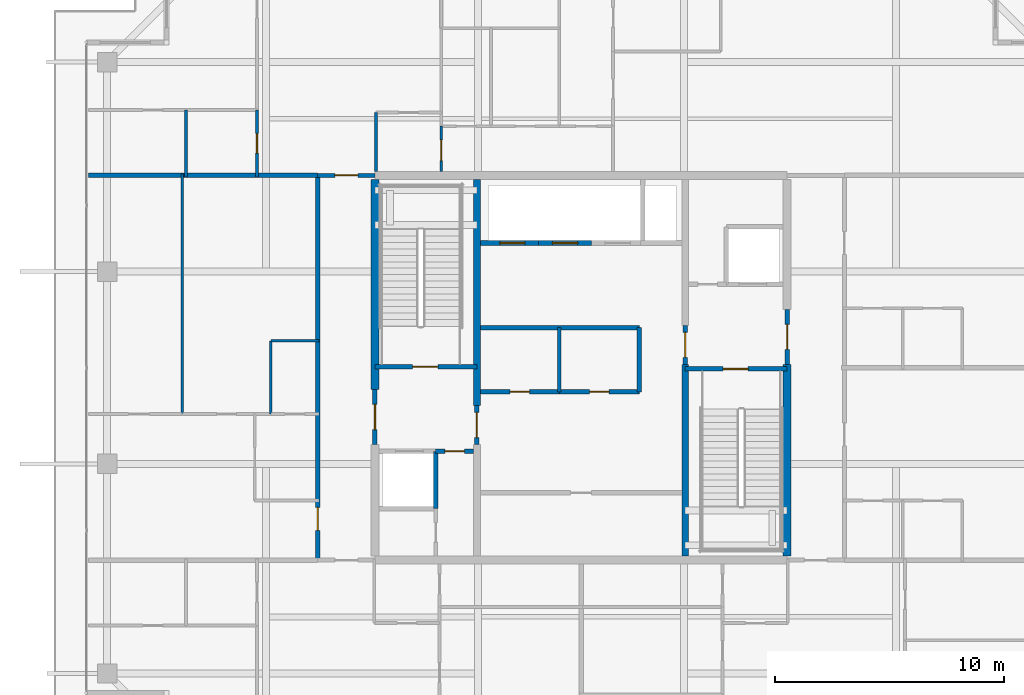
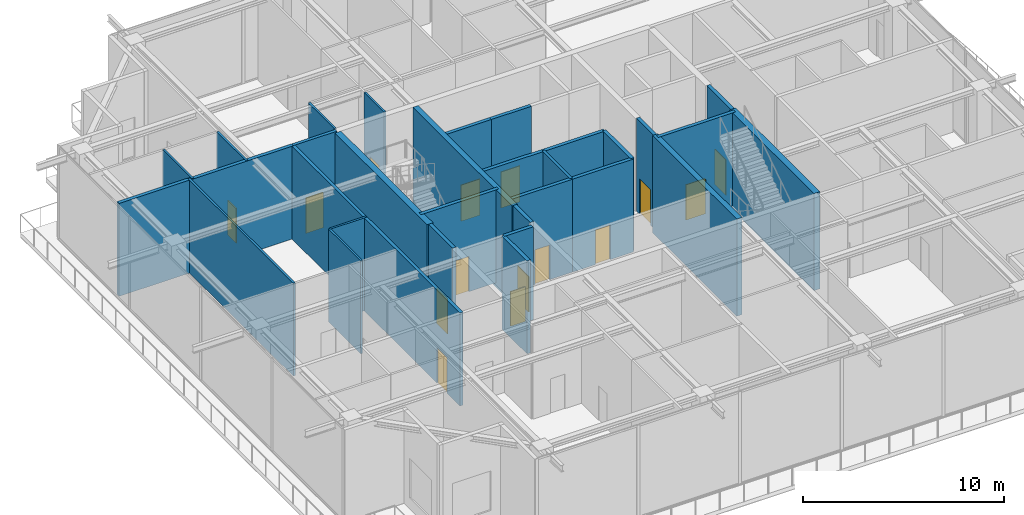
# One storey, part 28 of 40: 29 walls, 15 doors, 15 openings.
"""IFC4 building model written with IfcOpenShell, lengths in metres."""

from ifc_helpers import new_model, si_unit, direction, frame, frame_2d, origin, place, context, subcontext, project, spatial, rectangle, extrude, source, transform, mapped, material, layer, layer_set, type_object, element, fill, save


model = new_model("IFC4")

# Units and contexts
model_context = context("Model", 3, precision=1e-05, world=origin(), true_north=direction((0.0, 1.0)))
body_context = subcontext(model_context, "Body", "Model", "MODEL_VIEW")
ifc_project = project(units=[si_unit("LENGTHUNIT", "METRE"), si_unit("AREAUNIT", "SQUARE_METRE"), si_unit("VOLUMEUNIT", "CUBIC_METRE"), si_unit("PLANEANGLEUNIT", "RADIAN"), si_unit("MASSUNIT", "GRAM", prefix="KILO")], contexts=[model_context])

# Site, building, storey
site_placement = place(None, origin())
site = spatial("IfcSite", under=ifc_project, at=site_placement, CompositionType="ELEMENT")
building_placement = place(site_placement, origin())
building = spatial("IfcBuilding", under=site, at=building_placement, Name="Serunith Strait Residences", CompositionType="ELEMENT")
storey_placement = place(building_placement, frame((0.0, 0.0, 347.949951171875)))
storey = spatial("IfcBuildingStorey", under=building, at=storey_placement, Name="L86", CompositionType="ELEMENT", Elevation=347.949951171875)

# Wall
ifc_material_1 = material(Name="Fire-rated masonry service closet wall", Category="masonry")
ifc_layer_1 = layer(ifc_material_1, 0.14990234375, Name="Fire-rated masonry service closet wall")
ifc_layer_set_1 = layer_set([ifc_layer_1], Name="Fire-rated masonry service closet wall")
wall_type_1 = type_object("IfcWallType", Name="IW-BOH-150", PredefinedType="PARTITIONING", material=ifc_layer_set_1)
wall_1_placement = place(storey_placement, frame((31.449951171875, 24.14990234375, 0.0), z_axis=(0.0, 0.0, 1.0), x_axis=(0.0, 1.0, 0.0)))
element("IfcWall", 1, at=wall_1_placement, inside=storey, type_object=wall_type_1, Name="L86 Partition Wall 017", PredefinedType="PARTITIONING", context=body_context, shape_type="SweptSolid", body=[
    extrude(rectangle(XDim=2.800048828125, YDim=0.14990234375, at=frame_2d((1.39990234375, 0.0))), origin(), (0.0, 0.0, 1.0), 5.64013671875),
])

# Wall, opening, door
ifc_material_2 = material(Name="Fire-rated acoustic gypsum partition")
ifc_layer_2 = layer(ifc_material_2, 0.179931640625, Name="Fire-rated acoustic gypsum partition")
ifc_layer_set_2 = layer_set([ifc_layer_2], Name="Fire-rated acoustic gypsum partition")
wall_type_2 = type_object("IfcWallType", Name="IW-CORR-180", PredefinedType="PARTITIONING", material=ifc_layer_set_2)
wall_2_placement = place(storey_placement, frame((20.902099609375, 33.60009765625, 0.0), z_axis=(0.0, 0.0, 1.0), x_axis=(1.0, 0.0, 0.0)))
wall_2 = element("IfcWall", 2, at=wall_2_placement, inside=storey, type_object=wall_type_2, Name="L86 Partition Wall 025", PredefinedType="PARTITIONING", context=body_context, shape_type="SweptSolid", body=[
    extrude(rectangle(XDim=2.495849609375, YDim=0.179931640625, at=frame_2d((1.248046875, 0.0))), origin(), (0.0, 0.0, 1.0), 5.64013671875),
])
opening_1_placement = place(wall_2_placement, frame((0.748046875, 0.0, 0.0)))
opening_1 = element("IfcOpeningElement", 3, at=opening_1_placement, cuts=wall_2, Name="Opening D-APT1000", PredefinedType="OPENING", context=body_context, shape_type="SweptSolid", body=[
    extrude(rectangle(XDim=1.0, YDim=2.14990234375, at=frame_2d((0.5, 1.074951171875))), frame((0.0, 0.10009765625, 0.0), z_axis=(0.0, -1.0, 0.0), x_axis=(1.0, 0.0, 0.0)), (0.0, 0.0, 1.0), 0.199951171875),
])
ifc_material_3 = material(Name="Solid timber engineered fire door", Category="wood")
door_type_1 = type_object("IfcDoorType", Name="ID-APT-1000", OperationType="NOTDEFINED", PredefinedType="DOOR", material=ifc_material_3)
shared_shape_1 = source(origin(), body_context, "Body", "SweptSolid", [
    extrude(rectangle(XDim=1.0, YDim=2.14990234375, at=frame_2d((0.5, 1.074951171875))), frame((0.0, 0.02490234375, 0.0), z_axis=(0.0, -1.0, 0.0), x_axis=(1.0, 0.0, 0.0)), (0.0, 0.0, 1.0), 0.050048828125),
])
door_1_placement = place(opening_1_placement, origin())
door_1 = element("IfcDoor", 4, at=door_1_placement, inside=storey, type_object=door_type_1, Name="L86 Unit 03 Entrance Door", OperationType="SINGLE_SWING_LEFT", OverallHeight=2.14990234375, OverallWidth=1.0, PredefinedType="DOOR", context=body_context, shape_type="MappedRepresentation", body=[
    mapped(shared_shape_1, transform((0.0, 0.0, 0.0), scale=1.0)),
])
fill(opening_1, door_1)

wall_3_placement = place(storey_placement, frame((20.89990234375, 16.800048828125, 0.0), z_axis=(0.0, 0.0, 1.0), x_axis=(0.0, 1.0, 0.0)))
wall_3 = element("IfcWall", 5, at=wall_3_placement, inside=storey, type_object=wall_type_2, Name="L86 Partition Wall 026", PredefinedType="PARTITIONING", context=body_context, shape_type="SweptSolid", body=[
    extrude(rectangle(XDim=16.800048828125, YDim=0.179931640625, at=frame_2d((8.39990234375, 0.0))), origin(), (0.0, 0.0, 1.0), 5.64013671875),
])
opening_2_placement = place(wall_3_placement, frame((1.300048828125, 0.0, 0.0)))
opening_2 = element("IfcOpeningElement", 6, at=opening_2_placement, cuts=wall_3, Name="Opening D-APT1000", PredefinedType="OPENING", context=body_context, shape_type="SweptSolid", body=[
    extrude(rectangle(XDim=1.0, YDim=2.14990234375, at=frame_2d((0.5, 1.074951171875))), frame((0.0, 0.10009765625, 0.0), z_axis=(0.0, -1.0, 0.0), x_axis=(1.0, 0.0, 0.0)), (0.0, 0.0, 1.0), 0.199951171875),
])
door_2_placement = place(opening_2_placement, origin())
door_2 = element("IfcDoor", 7, at=door_2_placement, inside=storey, type_object=door_type_1, Name="L86 Unit 04 Entrance Door", OperationType="SINGLE_SWING_RIGHT", OverallHeight=2.14990234375, OverallWidth=1.0, PredefinedType="DOOR", context=body_context, shape_type="MappedRepresentation", body=[
    mapped(shared_shape_1, transform((0.0, 0.0, 0.0), scale=1.0)),
])
fill(opening_2, door_2)

# Walls
ifc_material_4 = material(Name="Lightweight steel-stud gypsum partition", Category="steel")
ifc_layer_3 = layer(ifc_material_4, 0.1201171875, Name="Lightweight steel-stud gypsum partition")
ifc_layer_set_3 = layer_set([ifc_layer_3], Name="Lightweight steel-stud gypsum partition")
wall_type_3 = type_object("IfcWallType", Name="IW-PART-120", PredefinedType="PARTITIONING", material=ifc_layer_set_3)
wall_4_placement = place(storey_placement, frame((23.449951171875, 36.35009765625, 0.0), z_axis=(0.0, 0.0, 1.0), x_axis=(0.0, -1.0, 0.0)))
element("IfcWall", 8, at=wall_4_placement, inside=storey, type_object=wall_type_3, Name="L86 Partition Wall 053", PredefinedType="PARTITIONING", context=body_context, shape_type="SweptSolid", body=[
    extrude(rectangle(XDim=2.5751953125, YDim=0.1201171875, at=frame_2d((1.28759765625, 0.0))), origin(), (0.0, 0.0, 1.0), 5.64013671875),
])
wall_5_placement = place(storey_placement, frame((15.14990234375, 36.4560546875, 0.0), z_axis=(0.0, 0.0, 1.0), x_axis=(0.0, -1.0, 0.0)))
element("IfcWall", 9, at=wall_5_placement, inside=storey, type_object=wall_type_3, Name="L86 Partition Wall 057", PredefinedType="PARTITIONING", context=body_context, shape_type="SweptSolid", body=[
    extrude(rectangle(XDim=2.916015625, YDim=0.1201171875, at=frame_2d((1.4580078125, 0.0))), origin(), (0.0, 0.0, 1.0), 5.64013671875),
])

# Wall, opening, door
wall_6_placement = place(storey_placement, frame((18.25, 36.4541015625, 0.0), z_axis=(0.0, 0.0, 1.0), x_axis=(0.0, -1.0, 0.0)))
wall_6 = element("IfcWall", 10, at=wall_6_placement, inside=storey, type_object=wall_type_3, Name="L86 Partition Wall 058", PredefinedType="PARTITIONING", context=body_context, shape_type="SweptSolid", body=[
    extrude(rectangle(XDim=2.9140625, YDim=0.1201171875, at=frame_2d((1.45703125, 0.0))), origin(), (0.0, 0.0, 1.0), 5.64013671875),
])
opening_3_placement = place(wall_6_placement, frame((1.031982421875, 0.0, 0.0)))
opening_3 = element("IfcOpeningElement", 11, at=opening_3_placement, cuts=wall_6, Name="Opening D-BTH850", PredefinedType="OPENING", context=body_context, shape_type="SweptSolid", body=[
    extrude(rectangle(XDim=0.85009765625, YDim=2.10009765625, at=frame_2d((0.425048828125, 1.050048828125))), frame((0.0, 0.070068359375, 0.0), z_axis=(0.0, -1.0, 0.0), x_axis=(1.0, 0.0, 0.0)), (0.0, 0.0, 1.0), 0.14013671875),
])
ifc_material_5 = material(Name="Moisture-resistant timber bathroom door", Category="wood")
door_type_2 = type_object("IfcDoorType", Name="ID-BATH-850", OperationType="NOTDEFINED", PredefinedType="DOOR", material=ifc_material_5)
shared_shape_2 = source(origin(), body_context, "Body", "SweptSolid", [
    extrude(rectangle(XDim=0.85009765625, YDim=2.10009765625, at=frame_2d((0.425048828125, 1.050048828125))), frame((0.0, 0.02490234375, 0.0), z_axis=(0.0, -1.0, 0.0), x_axis=(1.0, 0.0, 0.0)), (0.0, 0.0, 1.0), 0.050048828125),
])
door_3_placement = place(opening_3_placement, origin())
door_3 = element("IfcDoor", 12, at=door_3_placement, inside=storey, type_object=door_type_2, Name="L86 Bathroom 8603 Door", OperationType="SINGLE_SWING_RIGHT", OverallHeight=2.10009765625, OverallWidth=0.85009765625, PredefinedType="DOOR", context=body_context, shape_type="MappedRepresentation", body=[
    mapped(shared_shape_2, transform((0.0, 0.0, 0.0), scale=1.0)),
])
fill(opening_3, door_3)

wall_7_placement = place(storey_placement, frame((26.300048828125, 35.75, 0.0), z_axis=(0.0, 0.0, 1.0), x_axis=(0.0, -1.0, 0.0)))
wall_7 = element("IfcWall", 13, at=wall_7_placement, inside=storey, type_object=wall_type_3, Name="L86 Partition Wall 059", PredefinedType="PARTITIONING", context=body_context, shape_type="SweptSolid", body=[
    extrude(rectangle(XDim=1.97509765625, YDim=0.1201171875, at=frame_2d((0.987548828125, 0.0))), origin(), (0.0, 0.0, 1.0), 5.64013671875),
])
opening_4_placement = place(wall_7_placement, frame((0.60107421875, 0.0, 0.0)))
opening_4 = element("IfcOpeningElement", 14, at=opening_4_placement, cuts=wall_7, Name="Opening D-RM900", PredefinedType="OPENING", context=body_context, shape_type="SweptSolid", body=[
    extrude(rectangle(XDim=0.89990234375, YDim=2.10009765625, at=frame_2d((0.449951171875, 1.050048828125))), frame((0.0, 0.070068359375, 0.0), z_axis=(0.0, -1.0, 0.0), x_axis=(1.0, 0.0, 0.0)), (0.0, 0.0, 1.0), 0.14013671875),
])
ifc_material_6 = material(Name="Engineered timber flush bedroom door", Category="wood")
door_type_3 = type_object("IfcDoorType", Name="ID-ROOM-900", OperationType="NOTDEFINED", PredefinedType="DOOR", material=ifc_material_6)
shared_shape_3 = source(origin(), body_context, "Body", "SweptSolid", [
    extrude(rectangle(XDim=0.89990234375, YDim=2.10009765625, at=frame_2d((0.449951171875, 1.050048828125))), frame((0.0, 0.02490234375, 0.0), z_axis=(0.0, -1.0, 0.0), x_axis=(1.0, 0.0, 0.0)), (0.0, 0.0, 1.0), 0.050048828125),
])
door_4_placement = place(opening_4_placement, origin())
door_4 = element("IfcDoor", 15, at=door_4_placement, inside=storey, type_object=door_type_3, Name="L86 Hall E 8603 Door", OperationType="SINGLE_SWING_LEFT", OverallHeight=2.10009765625, OverallWidth=0.89990234375, PredefinedType="DOOR", context=body_context, shape_type="MappedRepresentation", body=[
    mapped(shared_shape_3, transform((0.0, 0.0, 0.0), scale=1.0)),
])
fill(opening_4, door_4)

# Walls
wall_8_placement = place(storey_placement, frame((14.98291015625, 23.179931640625, 0.0), z_axis=(0.0, 0.0, 1.0), x_axis=(0.0, 1.0, 0.0)))
element("IfcWall", 16, at=wall_8_placement, inside=storey, type_object=wall_type_3, Name="L86 Partition Wall 077", PredefinedType="PARTITIONING", context=body_context, shape_type="SweptSolid", body=[
    extrude(rectangle(XDim=10.47998046875, YDim=0.1201171875, at=frame_2d((5.239990234375, 0.0))), origin(), (0.0, 0.0, 1.0), 5.64013671875),
])
wall_9_placement = place(storey_placement, frame((18.85009765625, 23.179931640625, 0.0), z_axis=(0.0, 0.0, 1.0), x_axis=(0.0, 1.0, 0.0)))
element("IfcWall", 17, at=wall_9_placement, inside=storey, type_object=wall_type_3, Name="L86 Partition Wall 078", PredefinedType="PARTITIONING", context=body_context, shape_type="SweptSolid", body=[
    extrude(rectangle(XDim=3.199951171875, YDim=0.1201171875, at=frame_2d((1.60009765625, 0.0))), origin(), (0.0, 0.0, 1.0), 5.64013671875),
])
wall_10_placement = place(storey_placement, frame((18.85009765625, 26.3798828125, 0.0), z_axis=(0.0, 0.0, 1.0), x_axis=(1.0, 0.0, 0.0)))
element("IfcWall", 18, at=wall_10_placement, inside=storey, type_object=wall_type_3, Name="L86 Partition Wall 079", PredefinedType="PARTITIONING", context=body_context, shape_type="SweptSolid", body=[
    extrude(rectangle(XDim=2.10986328125, YDim=0.1201171875, at=frame_2d((1.054931640625, 0.0))), origin(), (0.0, 0.0, 1.0), 5.64013671875),
])
ifc_material_7 = material(Name="Twin-stud acoustic gypsum board partition")
ifc_layer_4 = layer(ifc_material_7, 0.199951171875, Name="Twin-stud acoustic gypsum board partition")
ifc_layer_set_4 = layer_set([ifc_layer_4], Name="Twin-stud acoustic gypsum board partition")
wall_type_4 = type_object("IfcWallType", Name="IW-PARTY-200", PredefinedType="PARTITIONING", material=ifc_layer_set_4)
wall_11_placement = place(storey_placement, frame((10.882080078125, 33.60009765625, 0.0), z_axis=(0.0, 0.0, 1.0), x_axis=(1.0, 0.0, 0.0)))
element("IfcWall", 19, at=wall_11_placement, inside=storey, type_object=wall_type_4, Name="L86 Partition Wall 022", PredefinedType="PARTITIONING", context=body_context, shape_type="SweptSolid", body=[
    extrude(rectangle(XDim=10.017822265625, YDim=0.199951171875, at=frame_2d((5.0087890625, 0.0))), origin(), (0.0, 0.0, 1.0), 5.64013671875),
])

# Wall, opening, door
ifc_material_8 = material(Name="Autoclaved aerated concrete blockwork", Category="masonry")
ifc_layer_5 = layer(ifc_material_8, 0.199951171875, Name="Autoclaved aerated concrete blockwork")
ifc_layer_set_5 = layer_set([ifc_layer_5], Name="Autoclaved aerated concrete blockwork")
wall_type_5 = type_object("IfcWallType", Name="IW-SHAFT-200", PredefinedType="STANDARD", material=ifc_layer_set_5)
wall_12_placement = place(storey_placement, frame((23.39990234375, 25.25, 0.0), z_axis=(0.0, 0.0, 1.0), x_axis=(1.0, 0.0, 0.0)))
wall_12 = element("IfcWall", 20, at=wall_12_placement, inside=storey, type_object=wall_type_5, Name="L86 ST-1 South Shaft Wall", PredefinedType="STANDARD", context=body_context, shape_type="SweptSolid", body=[
    extrude(rectangle(XDim=4.4501953125, YDim=0.199951171875, at=frame_2d((2.22509765625, 0.0))), origin(), (0.0, 0.0, 1.0), 5.64013671875),
])
opening_5_placement = place(wall_12_placement, frame((1.64990234375, 0.0, 0.0)))
opening_5 = element("IfcOpeningElement", 21, at=opening_5_placement, cuts=wall_12, Name="Opening FD-1100", PredefinedType="OPENING", context=body_context, shape_type="SweptSolid", body=[
    extrude(rectangle(XDim=1.10009765625, YDim=2.14990234375, at=frame_2d((0.550048828125, 1.074951171875))), frame((0.0, 0.10986328125, 0.0), z_axis=(0.0, -1.0, 0.0), x_axis=(1.0, 0.0, 0.0)), (0.0, 0.0, 1.0), 0.219970703125),
])
ifc_material_9 = material(Name="Galvanised steel fire door leaf", Category="steel")
door_type_4 = type_object("IfcDoorType", Name="FD-STAIR-1100", OperationType="NOTDEFINED", PredefinedType="DOOR", material=ifc_material_9)
shared_shape_4 = source(origin(), body_context, "Body", "SweptSolid", [
    extrude(rectangle(XDim=1.10009765625, YDim=2.14990234375, at=frame_2d((0.550048828125, 1.074951171875))), frame((0.0, 0.02490234375, 0.0), z_axis=(0.0, -1.0, 0.0), x_axis=(1.0, 0.0, 0.0)), (0.0, 0.0, 1.0), 0.050048828125),
])
door_5_placement = place(opening_5_placement, origin())
door_5 = element("IfcDoor", 22, at=door_5_placement, inside=storey, type_object=door_type_4, Name="L86 ST-1 Escape Stair Door", OperationType="SINGLE_SWING_RIGHT", OverallHeight=2.14990234375, OverallWidth=1.10009765625, PredefinedType="DOOR", context=body_context, shape_type="MappedRepresentation", body=[
    mapped(shared_shape_4, transform((0.0, 0.0, 0.0), scale=1.0)),
])
fill(opening_5, door_5)

wall_13_placement = place(storey_placement, frame((36.949951171875, 25.14990234375, 0.0), z_axis=(0.0, 0.0, 1.0), x_axis=(1.0, 0.0, 0.0)))
wall_13 = element("IfcWall", 23, at=wall_13_placement, inside=storey, type_object=wall_type_5, Name="L86 ST-2 North Shaft Wall", PredefinedType="STANDARD", context=body_context, shape_type="SweptSolid", body=[
    extrude(rectangle(XDim=4.449951171875, YDim=0.199951171875, at=frame_2d((2.22509765625, 0.0))), origin(), (0.0, 0.0, 1.0), 5.64013671875),
])
opening_6_placement = place(wall_13_placement, frame((1.64990234375, 0.0, 0.0)))
opening_6 = element("IfcOpeningElement", 24, at=opening_6_placement, cuts=wall_13, Name="Opening FD-1100", PredefinedType="OPENING", context=body_context, shape_type="SweptSolid", body=[
    extrude(rectangle(XDim=1.10009765625, YDim=2.14990234375, at=frame_2d((0.550048828125, 1.074951171875))), frame((0.0, 0.10986328125, 0.0), z_axis=(0.0, -1.0, 0.0), x_axis=(1.0, 0.0, 0.0)), (0.0, 0.0, 1.0), 0.219970703125),
])
door_6_placement = place(opening_6_placement, origin())
door_6 = element("IfcDoor", 25, at=door_6_placement, inside=storey, type_object=door_type_4, Name="L86 ST-2 Escape Stair Door", OperationType="SINGLE_SWING_LEFT", OverallHeight=2.14990234375, OverallWidth=1.10009765625, PredefinedType="DOOR", context=body_context, shape_type="MappedRepresentation", body=[
    mapped(shared_shape_4, transform((0.0, 0.0, 0.0), scale=1.0)),
])
fill(opening_6, door_6)

wall_14_placement = place(storey_placement, frame((28.0, 30.64990234375, 0.0), z_axis=(0.0, 0.0, 1.0), x_axis=(1.0, 0.0, 0.0)))
wall_14 = element("IfcWall", 26, at=wall_14_placement, inside=storey, type_object=wall_type_5, Name="L86 PL-7 South Shaft Wall", PredefinedType="STANDARD", context=body_context, shape_type="SweptSolid", body=[
    extrude(rectangle(XDim=2.550048828125, YDim=0.199951171875, at=frame_2d((1.27490234375, 0.0))), origin(), (0.0, 0.0, 1.0), 5.64013671875),
])
opening_7_placement = place(wall_14_placement, frame((0.85009765625, 0.0, 0.0)))
opening_7 = element("IfcOpeningElement", 27, at=opening_7_placement, cuts=wall_14, Name="Opening LD-1100", PredefinedType="OPENING", context=body_context, shape_type="SweptSolid", body=[
    extrude(rectangle(XDim=1.10009765625, YDim=2.199951171875, at=frame_2d((0.550048828125, 1.10009765625))), frame((0.0, 0.10986328125, 0.0), z_axis=(0.0, -1.0, 0.0), x_axis=(1.0, 0.0, 0.0)), (0.0, 0.0, 1.0), 0.219970703125),
])
ifc_material_10 = material(Name="Pale-champagne stainless landing door")
door_type_5 = type_object("IfcDoorType", Name="LD-LIFT-1100", OperationType="DOUBLE_DOOR_SLIDING", PredefinedType="DOOR", material=ifc_material_10)
shared_shape_5 = source(origin(), body_context, "Body", "SweptSolid", [
    extrude(rectangle(XDim=1.10009765625, YDim=2.199951171875, at=frame_2d((0.550048828125, 1.10009765625))), frame((0.0, 0.02490234375, 0.0), z_axis=(0.0, -1.0, 0.0), x_axis=(1.0, 0.0, 0.0)), (0.0, 0.0, 1.0), 0.050048828125),
])
door_7_placement = place(opening_7_placement, origin())
door_7 = element("IfcDoor", 28, at=door_7_placement, inside=storey, type_object=door_type_5, Name="L86 PL-7 Landing Door", OperationType="DOUBLE_DOOR_SLIDING", OverallHeight=2.199951171875, OverallWidth=1.10009765625, PredefinedType="DOOR", context=body_context, shape_type="MappedRepresentation", body=[
    mapped(shared_shape_5, transform((0.0, 0.0, 0.0), scale=1.0)),
])
fill(opening_7, door_7)

wall_15_placement = place(storey_placement, frame((30.550048828125, 30.64990234375, 0.0), z_axis=(0.0, 0.0, 1.0), x_axis=(1.0, 0.0, 0.0)))
wall_15 = element("IfcWall", 29, at=wall_15_placement, inside=storey, type_object=wall_type_5, Name="L86 PL-8 South Shaft Wall", PredefinedType="STANDARD", context=body_context, shape_type="SweptSolid", body=[
    extrude(rectangle(XDim=2.300048828125, YDim=0.199951171875, at=frame_2d((1.14990234375, 0.0))), origin(), (0.0, 0.0, 1.0), 5.64013671875),
])
opening_8_placement = place(wall_15_placement, frame((0.60009765625, 0.0, 0.0)))
opening_8 = element("IfcOpeningElement", 30, at=opening_8_placement, cuts=wall_15, Name="Opening LD-1100", PredefinedType="OPENING", context=body_context, shape_type="SweptSolid", body=[
    extrude(rectangle(XDim=1.10009765625, YDim=2.199951171875, at=frame_2d((0.550048828125, 1.10009765625))), frame((0.0, 0.10986328125, 0.0), z_axis=(0.0, -1.0, 0.0), x_axis=(1.0, 0.0, 0.0)), (0.0, 0.0, 1.0), 0.219970703125),
])
door_8_placement = place(opening_8_placement, origin())
door_8 = element("IfcDoor", 31, at=door_8_placement, inside=storey, type_object=door_type_5, Name="L86 PL-8 Landing Door", OperationType="DOUBLE_DOOR_SLIDING", OverallHeight=2.199951171875, OverallWidth=1.10009765625, PredefinedType="DOOR", context=body_context, shape_type="MappedRepresentation", body=[
    mapped(shared_shape_5, transform((0.0, 0.0, 0.0), scale=1.0)),
])
fill(opening_8, door_8)

# Wall
wall_16_placement = place(storey_placement, frame((26.050048828125, 19.050048828125, 0.0), z_axis=(0.0, 0.0, 1.0), x_axis=(0.0, 1.0, 0.0)))
element("IfcWall", 32, at=wall_16_placement, inside=storey, type_object=wall_type_5, Name="L86 Partition Wall 001", PredefinedType="STANDARD", context=body_context, shape_type="SweptSolid", body=[
    extrude(rectangle(XDim=2.5, YDim=0.199951171875, at=frame_2d((1.25, 0.0))), origin(), (0.0, 0.0, 1.0), 5.64013671875),
])

# Wall, opening, door
wall_17_placement = place(storey_placement, frame((26.052001953125, 21.550048828125, 0.0), z_axis=(0.0, 0.0, 1.0), x_axis=(1.0, 0.0, 0.0)))
wall_17 = element("IfcWall", 33, at=wall_17_placement, inside=storey, type_object=wall_type_5, Name="L86 Partition Wall 003", PredefinedType="STANDARD", context=body_context, shape_type="SweptSolid", body=[
    extrude(rectangle(XDim=1.64794921875, YDim=0.199951171875, at=frame_2d((0.823974609375, 0.0))), origin(), (0.0, 0.0, 1.0), 5.64013671875),
])
opening_9_placement = place(wall_17_placement, frame((0.39892578125, 0.0, 0.0)))
opening_9 = element("IfcOpeningElement", 34, at=opening_9_placement, cuts=wall_17, Name="Opening FD-850", PredefinedType="OPENING", context=body_context, shape_type="SweptSolid", body=[
    extrude(rectangle(XDim=0.85009765625, YDim=2.10009765625, at=frame_2d((0.425048828125, 1.050048828125))), frame((0.0, 0.10986328125, 0.0), z_axis=(0.0, -1.0, 0.0), x_axis=(1.0, 0.0, 0.0)), (0.0, 0.0, 1.0), 0.219970703125),
])
ifc_material_11 = material(Name="Powder-coated steel service closet door", Category="steel")
door_type_6 = type_object("IfcDoorType", Name="FD-BOH-850", OperationType="NOTDEFINED", PredefinedType="DOOR", material=ifc_material_11)
door_9_placement = place(opening_9_placement, origin())
door_9 = element("IfcDoor", 35, at=door_9_placement, inside=storey, type_object=door_type_6, Name="L86 South-West Core Service Door", OperationType="SINGLE_SWING_RIGHT", OverallHeight=2.10009765625, OverallWidth=0.85009765625, PredefinedType="DOOR", context=body_context, shape_type="MappedRepresentation", body=[
    mapped(shared_shape_2, transform((0.0, 0.0, 0.0), scale=1.0)),
])
fill(opening_9, door_9)

wall_18_placement = place(storey_placement, frame((23.39990234375, 21.85205078125, 0.0), z_axis=(0.0, 0.0, 1.0), x_axis=(0.0, 1.0, 0.0)))
wall_18 = element("IfcWall", 36, at=wall_18_placement, inside=storey, type_object=wall_type_5, Name="L86 Partition Wall 007", PredefinedType="STANDARD", context=body_context, shape_type="SweptSolid", body=[
    extrude(rectangle(XDim=2.39599609375, YDim=0.199951171875, at=frame_2d((1.197998046875, 0.0))), origin(), (0.0, 0.0, 1.0), 5.64013671875),
])
opening_10_placement = place(wall_18_placement, frame((0.64794921875, 0.0, 0.0)))
opening_10 = element("IfcOpeningElement", 37, at=opening_10_placement, cuts=wall_18, Name="Opening FD-FFL", PredefinedType="OPENING", context=body_context, shape_type="SweptSolid", body=[
    extrude(rectangle(XDim=1.10009765625, YDim=2.14990234375, at=frame_2d((0.550048828125, 1.074951171875))), frame((0.0, 0.10986328125, 0.0), z_axis=(0.0, -1.0, 0.0), x_axis=(1.0, 0.0, 0.0)), (0.0, 0.0, 1.0), 0.219970703125),
])
ifc_material_12 = material(Name="Glazed steel smoke-lobby fire door", Category="steel")
door_type_7 = type_object("IfcDoorType", Name="FD-FFL-1100", OperationType="NOTDEFINED", PredefinedType="DOOR", material=ifc_material_12)
door_10_placement = place(opening_10_placement, origin())
door_10 = element("IfcDoor", 38, at=door_10_placement, inside=storey, type_object=door_type_7, Name="L86 FFL-1 Corridor Fire Door", OperationType="SINGLE_SWING_RIGHT", OverallHeight=2.14990234375, OverallWidth=1.10009765625, PredefinedType="DOOR", context=body_context, shape_type="MappedRepresentation", body=[
    mapped(shared_shape_4, transform((0.0, 0.0, 0.0), scale=1.0)),
])
fill(opening_10, door_10)

wall_19_placement = place(storey_placement, frame((41.39990234375, 25.35205078125, 0.0), z_axis=(0.0, 0.0, 1.0), x_axis=(0.0, 1.0, 0.0)))
wall_19 = element("IfcWall", 39, at=wall_19_placement, inside=storey, type_object=wall_type_5, Name="L86 Partition Wall 008", PredefinedType="STANDARD", context=body_context, shape_type="SweptSolid", body=[
    extrude(rectangle(XDim=2.39599609375, YDim=0.199951171875, at=frame_2d((1.197998046875, 0.0))), origin(), (0.0, 0.0, 1.0), 5.64013671875),
])
opening_11_placement = place(wall_19_placement, frame((0.64794921875, 0.0, 0.0)))
opening_11 = element("IfcOpeningElement", 40, at=opening_11_placement, cuts=wall_19, Name="Opening FD-FFL", PredefinedType="OPENING", context=body_context, shape_type="SweptSolid", body=[
    extrude(rectangle(XDim=1.10009765625, YDim=2.14990234375, at=frame_2d((0.550048828125, 1.074951171875))), frame((0.0, 0.10986328125, 0.0), z_axis=(0.0, -1.0, 0.0), x_axis=(1.0, 0.0, 0.0)), (0.0, 0.0, 1.0), 0.219970703125),
])
door_11_placement = place(opening_11_placement, origin())
door_11 = element("IfcDoor", 41, at=door_11_placement, inside=storey, type_object=door_type_7, Name="L86 FFL-2 Corridor Fire Door", OperationType="SINGLE_SWING_LEFT", OverallHeight=2.14990234375, OverallWidth=1.10009765625, PredefinedType="DOOR", context=body_context, shape_type="MappedRepresentation", body=[
    mapped(shared_shape_4, transform((0.0, 0.0, 0.0), scale=1.0)),
])
fill(opening_11, door_11)

wall_20_placement = place(storey_placement, frame((27.85009765625, 21.85205078125, 0.0), z_axis=(0.0, 0.0, 1.0), x_axis=(0.0, 1.0, 0.0)))
wall_20 = element("IfcWall", 42, at=wall_20_placement, inside=storey, type_object=wall_type_5, Name="L86 Partition Wall 009", PredefinedType="STANDARD", context=body_context, shape_type="SweptSolid", body=[
    extrude(rectangle(XDim=1.696044921875, YDim=0.199951171875, at=frame_2d((0.84814453125, 0.0))), origin(), (0.0, 0.0, 1.0), 5.64013671875),
])
opening_12_placement = place(wall_20_placement, frame((0.298095703125, 0.0, 0.0)))
opening_12 = element("IfcOpeningElement", 43, at=opening_12_placement, cuts=wall_20, Name="Opening FD-FFL", PredefinedType="OPENING", context=body_context, shape_type="SweptSolid", body=[
    extrude(rectangle(XDim=1.10009765625, YDim=2.14990234375, at=frame_2d((0.550048828125, 1.074951171875))), frame((0.0, 0.10986328125, 0.0), z_axis=(0.0, -1.0, 0.0), x_axis=(1.0, 0.0, 0.0)), (0.0, 0.0, 1.0), 0.219970703125),
])
door_12_placement = place(opening_12_placement, origin())
door_12 = element("IfcDoor", 44, at=door_12_placement, inside=storey, type_object=door_type_7, Name="L86 FFL-1 Lift Lobby Door", OperationType="SINGLE_SWING_RIGHT", OverallHeight=2.14990234375, OverallWidth=1.10009765625, PredefinedType="DOOR", context=body_context, shape_type="MappedRepresentation", body=[
    mapped(shared_shape_4, transform((0.0, 0.0, 0.0), scale=1.0)),
])
fill(opening_12, door_12)

wall_21_placement = place(storey_placement, frame((36.949951171875, 25.35205078125, 0.0), z_axis=(0.0, 0.0, 1.0), x_axis=(0.0, 1.0, 0.0)))
wall_21 = element("IfcWall", 45, at=wall_21_placement, inside=storey, type_object=wall_type_5, Name="L86 Partition Wall 010", PredefinedType="STANDARD", context=body_context, shape_type="SweptSolid", body=[
    extrude(rectangle(XDim=1.696044921875, YDim=0.199951171875, at=frame_2d((0.84814453125, 0.0))), origin(), (0.0, 0.0, 1.0), 5.64013671875),
])
opening_13_placement = place(wall_21_placement, frame((0.298095703125, 0.0, 0.0)))
opening_13 = element("IfcOpeningElement", 46, at=opening_13_placement, cuts=wall_21, Name="Opening FD-FFL", PredefinedType="OPENING", context=body_context, shape_type="SweptSolid", body=[
    extrude(rectangle(XDim=1.10009765625, YDim=2.14990234375, at=frame_2d((0.550048828125, 1.074951171875))), frame((0.0, 0.10986328125, 0.0), z_axis=(0.0, -1.0, 0.0), x_axis=(1.0, 0.0, 0.0)), (0.0, 0.0, 1.0), 0.219970703125),
])
door_13_placement = place(opening_13_placement, origin())
door_13 = element("IfcDoor", 47, at=door_13_placement, inside=storey, type_object=door_type_7, Name="L86 FFL-2 Lift Lobby Door", OperationType="SINGLE_SWING_LEFT", OverallHeight=2.14990234375, OverallWidth=1.10009765625, PredefinedType="DOOR", context=body_context, shape_type="MappedRepresentation", body=[
    mapped(shared_shape_4, transform((0.0, 0.0, 0.0), scale=1.0)),
])
fill(opening_13, door_13)

# Walls
wall_22_placement = place(storey_placement, frame((28.0, 26.949951171875, 0.0), z_axis=(0.0, 0.0, 1.0), x_axis=(1.0, 0.0, 0.0)))
element("IfcWall", 48, at=wall_22_placement, inside=storey, type_object=wall_type_5, Name="L86 Partition Wall 013", PredefinedType="STANDARD", context=body_context, shape_type="SweptSolid", body=[
    extrude(rectangle(XDim=6.949951171875, YDim=0.199951171875, at=frame_2d((3.47509765625, 0.0))), origin(), (0.0, 0.0, 1.0), 5.64013671875),
])
wall_23_placement = place(storey_placement, frame((34.949951171875, 24.14990234375, 0.0), z_axis=(0.0, 0.0, 1.0), x_axis=(0.0, 1.0, 0.0)))
element("IfcWall", 49, at=wall_23_placement, inside=storey, type_object=wall_type_5, Name="L86 Partition Wall 014", PredefinedType="STANDARD", context=body_context, shape_type="SweptSolid", body=[
    extrude(rectangle(XDim=2.800048828125, YDim=0.199951171875, at=frame_2d((1.39990234375, 0.0))), origin(), (0.0, 0.0, 1.0), 5.64013671875),
])

# Wall, opening, door
wall_24_placement = place(storey_placement, frame((28.0, 24.14990234375, 0.0), z_axis=(0.0, 0.0, 1.0), x_axis=(1.0, 0.0, 0.0)))
wall_24 = element("IfcWall", 50, at=wall_24_placement, inside=storey, type_object=wall_type_5, Name="L86 Partition Wall 015", PredefinedType="STANDARD", context=body_context, shape_type="SweptSolid", body=[
    extrude(rectangle(XDim=3.449951171875, YDim=0.199951171875, at=frame_2d((1.72509765625, 0.0))), origin(), (0.0, 0.0, 1.0), 5.64013671875),
])
opening_14_placement = place(wall_24_placement, frame((1.300048828125, 0.0, 0.0)))
opening_14 = element("IfcOpeningElement", 51, at=opening_14_placement, cuts=wall_24, Name="Opening FD-850", PredefinedType="OPENING", context=body_context, shape_type="SweptSolid", body=[
    extrude(rectangle(XDim=0.85009765625, YDim=2.10009765625, at=frame_2d((0.425048828125, 1.050048828125))), frame((0.0, 0.10986328125, 0.0), z_axis=(0.0, -1.0, 0.0), x_axis=(1.0, 0.0, 0.0)), (0.0, 0.0, 1.0), 0.219970703125),
])
door_14_placement = place(opening_14_placement, origin())
door_14 = element("IfcDoor", 52, at=door_14_placement, inside=storey, type_object=door_type_6, Name="L86 Concierge Store Door", OperationType="SINGLE_SWING_RIGHT", OverallHeight=2.10009765625, OverallWidth=0.85009765625, PredefinedType="DOOR", context=body_context, shape_type="MappedRepresentation", body=[
    mapped(shared_shape_2, transform((0.0, 0.0, 0.0), scale=1.0)),
])
fill(opening_14, door_14)

wall_25_placement = place(storey_placement, frame((31.451904296875, 24.14990234375, 0.0), z_axis=(0.0, 0.0, 1.0), x_axis=(1.0, 0.0, 0.0)))
wall_25 = element("IfcWall", 53, at=wall_25_placement, inside=storey, type_object=wall_type_5, Name="L86 Partition Wall 016", PredefinedType="STANDARD", context=body_context, shape_type="SweptSolid", body=[
    extrude(rectangle(XDim=3.498046875, YDim=0.199951171875, at=frame_2d((1.7490234375, 0.0))), origin(), (0.0, 0.0, 1.0), 5.64013671875),
])
opening_15_placement = place(wall_25_placement, frame((1.323974609375, 0.0, 0.0)))
opening_15 = element("IfcOpeningElement", 54, at=opening_15_placement, cuts=wall_25, Name="Opening FD-850", PredefinedType="OPENING", context=body_context, shape_type="SweptSolid", body=[
    extrude(rectangle(XDim=0.85009765625, YDim=2.10009765625, at=frame_2d((0.425048828125, 1.050048828125))), frame((0.0, 0.10986328125, 0.0), z_axis=(0.0, -1.0, 0.0), x_axis=(1.0, 0.0, 0.0)), (0.0, 0.0, 1.0), 0.219970703125),
])
door_15_placement = place(opening_15_placement, origin())
door_15 = element("IfcDoor", 55, at=door_15_placement, inside=storey, type_object=door_type_6, Name="L86 Upper Telecoms Door", OperationType="SINGLE_SWING_LEFT", OverallHeight=2.10009765625, OverallWidth=0.85009765625, PredefinedType="DOOR", context=body_context, shape_type="MappedRepresentation", body=[
    mapped(shared_shape_2, transform((0.0, 0.0, 0.0), scale=1.0)),
])
fill(opening_15, door_15)

# Walls
ifc_material_13 = material(Name="Concrete C60/75", Category="concrete")
ifc_layer_6 = layer(ifc_material_13, 0.300048828125, Name="Concrete C60/75")
ifc_layer_set_6 = layer_set([ifc_layer_6], Name="Concrete C60/75")
wall_type_6 = type_object("IfcWallType", Name="SW-300-C60", PredefinedType="SHEAR", material=ifc_layer_set_6)
wall_26_placement = place(storey_placement, frame((27.85009765625, 23.550048828125, -0.260009765625), z_axis=(0.0, 0.0, 1.0), x_axis=(0.0, 1.0, 0.0)))
element("IfcWall", 56, at=wall_26_placement, inside=storey, type_object=wall_type_6, Name="L86 Core Internal West Web North Pier", PredefinedType="SHEAR", context=body_context, shape_type="SweptSolid", body=[
    extrude(rectangle(XDim=9.875, YDim=0.300048828125, at=frame_2d((4.9375, 0.0))), origin(), (0.0, 0.0, 1.0), 5.89794921875),
])
wall_27_placement = place(storey_placement, frame((36.949951171875, 16.97509765625, -0.260009765625), z_axis=(0.0, 0.0, 1.0), x_axis=(0.0, 1.0, 0.0)))
element("IfcWall", 57, at=wall_27_placement, inside=storey, type_object=wall_type_6, Name="L86 Core Internal East Web South Pier", PredefinedType="SHEAR", context=body_context, shape_type="SweptSolid", body=[
    extrude(rectangle(XDim=8.375, YDim=0.300048828125, at=frame_2d((4.1875, 0.0))), origin(), (0.0, 0.0, 1.0), 5.89794921875),
])
ifc_layer_7 = layer(ifc_material_13, 0.35009765625, Name="Concrete C60/75")
ifc_layer_set_7 = layer_set([ifc_layer_7], Name="Concrete C60/75")
wall_type_7 = type_object("IfcWallType", Name="SW-350-C60", PredefinedType="SHEAR", material=ifc_layer_set_7)
wall_28_placement = place(storey_placement, frame((23.39990234375, 24.25, -0.260009765625), z_axis=(0.0, 0.0, 1.0), x_axis=(0.0, 1.0, 0.0)))
element("IfcWall", 58, at=wall_28_placement, inside=storey, type_object=wall_type_7, Name="L86 Core West Shear Wall North Pier", PredefinedType="SHEAR", context=body_context, shape_type="SweptSolid", body=[
    extrude(rectangle(XDim=9.175048828125, YDim=0.35009765625, at=frame_2d((4.58740234375, 0.0))), origin(), (0.0, 0.0, 1.0), 5.89794921875),
])
wall_29_placement = place(storey_placement, frame((41.39990234375, 16.97509765625, -0.260009765625), z_axis=(0.0, 0.0, 1.0), x_axis=(0.0, 1.0, 0.0)))
element("IfcWall", 59, at=wall_29_placement, inside=storey, type_object=wall_type_7, Name="L86 Core East Shear Wall South Pier", PredefinedType="SHEAR", context=body_context, shape_type="SweptSolid", body=[
    extrude(rectangle(XDim=8.375, YDim=0.35009765625, at=frame_2d((4.1875, 0.0))), origin(), (0.0, 0.0, 1.0), 5.89794921875),
])

save(model, "model.ifc")
